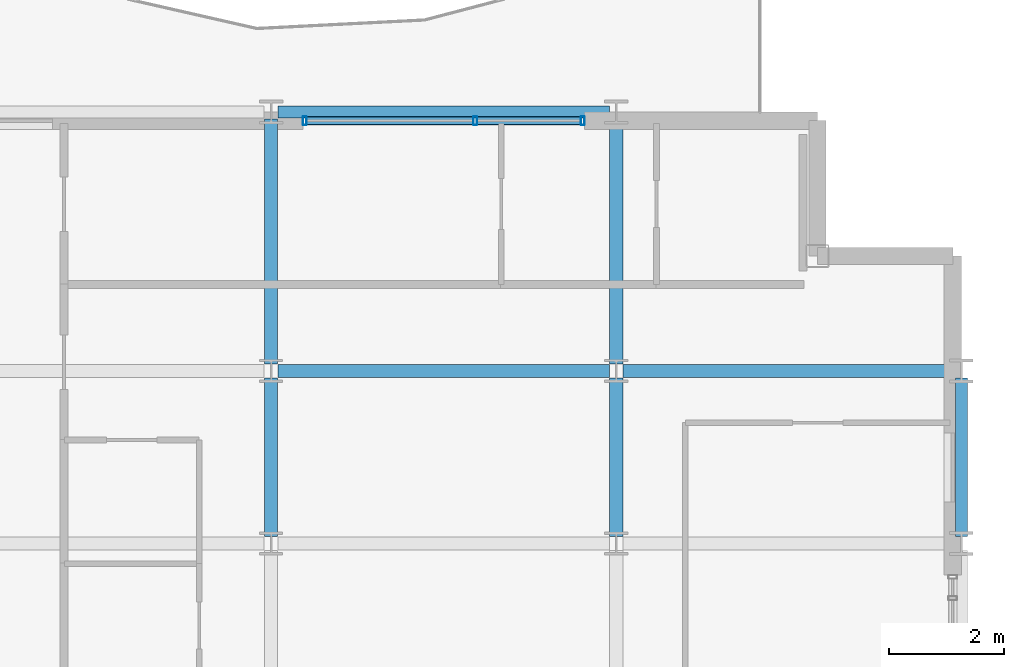
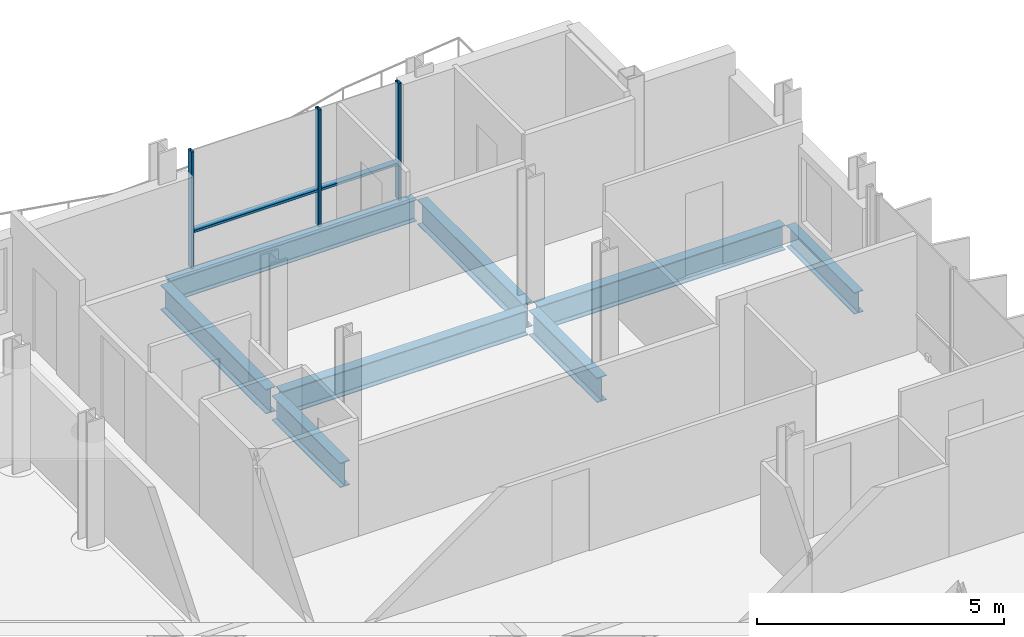
# One storey, part 22 of 40: 8 beams, 5 members, 1 element without a shape of its own.
"""IFC4 building model written with IfcOpenShell, lengths in metres."""

from ifc_helpers import new_model, si_unit, direction, frame, origin, origin_2d, place, context, subcontext, project, spatial, hollow_rectangle, i_section, extrude, material, layer, layer_set, material_profile, profile_set, type_object, element, aggregate, save


model = new_model("IFC4")

# Units and contexts
model_context = context("Model", 3, precision=1e-05, world=origin(), true_north=direction((0.0, 1.0)))
body_context = subcontext(model_context, "Body", "Model", "MODEL_VIEW")
ifc_project = project(units=[si_unit("LENGTHUNIT", "METRE"), si_unit("AREAUNIT", "SQUARE_METRE"), si_unit("VOLUMEUNIT", "CUBIC_METRE"), si_unit("PLANEANGLEUNIT", "RADIAN"), si_unit("MASSUNIT", "GRAM", prefix="KILO")], contexts=[model_context])

# Site, building, storey
site_placement = place(None, origin())
site = spatial("IfcSite", under=ifc_project, at=site_placement, CompositionType="ELEMENT")
building_placement = place(site_placement, origin())
building = spatial("IfcBuilding", under=site, at=building_placement, Name="Brevholm Reach", CompositionType="ELEMENT")
storey_placement = place(building_placement, frame((0.0, 0.0, 148.0)))
storey = spatial("IfcBuildingStorey", under=building, at=storey_placement, Name="L44", CompositionType="ELEMENT", Elevation=148.0)

# Beams
ifc_material_1 = material(Name="Structural Steel S355J2", Category="steel")
ifc_material_profile_1 = material_profile(ifc_material_1, i_section(OverallWidth=0.209228515625, OverallDepth=0.533203125, WebThickness=0.010009765625, FlangeThickness=0.015625, FilletRadius=0.0126953125, at=origin_2d()), Name="UKB 533x210x92")
ifc_profile_set_1 = profile_set([ifc_material_profile_1], Name="Structural Steel S355J2")
beam_type_1 = type_object("IfcBeamType", Name="BM-SP533", PredefinedType="SPANDREL", material=ifc_profile_set_1)
beam_1_placement = place(storey_placement, frame((48.1201171875, 31.0, -0.486572265625), z_axis=(1.0, 0.0, 0.0), x_axis=(0.0, 1.0, 0.0)))
element("IfcBeam", 1, at=beam_1_placement, inside=storey, type_object=beam_type_1, Name="L44 SP-02 Framing Beam", PredefinedType="SPANDREL", context=body_context, shape_type="SweptSolid", body=[
    extrude(i_section(OverallWidth=0.209228515625, OverallDepth=0.533203125, WebThickness=0.010009765625, FlangeThickness=0.015625, FilletRadius=0.0126953125, at=origin_2d()), origin(), (0.0, 0.0, 1.0), 5.759765625),
])
beam_2_placement = place(storey_placement, frame((60.0, 23.6201171875, -0.486572265625), z_axis=(0.0, 1.0, 0.0), x_axis=(-1.0, 0.0, 0.0)))
element("IfcBeam", 2, at=beam_2_placement, inside=storey, type_object=beam_type_1, Name="L44 SP-02 Framing Beam", PredefinedType="SPANDREL", context=body_context, shape_type="SweptSolid", body=[
    extrude(i_section(OverallWidth=0.209228515625, OverallDepth=0.533203125, WebThickness=0.010009765625, FlangeThickness=0.015625, FilletRadius=0.0126953125, at=origin_2d()), origin(), (0.0, 0.0, 1.0), 2.759765625),
])
ifc_material_2 = material(Name="Structural Steel S355J2", Category="steel")
ifc_material_profile_2 = material_profile(ifc_material_2, i_section(OverallWidth=0.22900390625, OverallDepth=0.6123046875, WebThickness=0.011962890625, FlangeThickness=0.01953125, FilletRadius=0.0126953125, at=origin_2d()), Name="UKB 610x229x125")
ifc_profile_set_2 = profile_set([ifc_material_profile_2], Name="Structural Steel S355J2")
beam_type_2 = type_object("IfcBeamType", Name="BM-SP610", PredefinedType="SPANDREL", material=ifc_profile_set_2)
for number, where, z_axis, x_axis, name in (
    (3, (48.1201171875, 26.5, -0.526123046875), (1.0, 0.0, 0.0), (0.0, 1.0, 0.0), "L44 SP-01 Framing Beam"),
    (4, (54.1201171875, 26.5, -0.526123046875), (1.0, 0.0, 0.0), (0.0, 1.0, 0.0), "L44 SP-01 Framing Beam"),
):
    element("IfcBeam", number, at=place(storey_placement, frame(where, z_axis=z_axis, x_axis=x_axis)), inside=storey, type_object=beam_type_2, Name=name, PredefinedType="SPANDREL", context=body_context, shape_type="SweptSolid", body=[
        extrude(i_section(OverallWidth=0.22900390625, OverallDepth=0.6123046875, WebThickness=0.011962890625, FlangeThickness=0.01953125, FilletRadius=0.0126953125, at=origin_2d()), origin(), (0.0, 0.0, 1.0), 5.759765625),
    ])
beam_3_placement = place(storey_placement, frame((48.0, 23.6201171875, -0.526123046875), z_axis=(0.0, 1.0, 0.0), x_axis=(-1.0, 0.0, 0.0)))
element("IfcBeam", 5, at=beam_3_placement, inside=storey, type_object=beam_type_2, Name="L44 SP-01 Framing Beam", PredefinedType="SPANDREL", context=body_context, shape_type="SweptSolid", body=[
    extrude(i_section(OverallWidth=0.22900390625, OverallDepth=0.6123046875, WebThickness=0.011962890625, FlangeThickness=0.01953125, FilletRadius=0.0126953125, at=origin_2d()), origin(), (0.0, 0.0, 1.0), 2.759765625),
])
beam_4_placement = place(storey_placement, frame((48.0, 26.6201171875, -0.526123046875), z_axis=(0.0, 1.0, 0.0), x_axis=(-1.0, 0.0, 0.0)))
element("IfcBeam", 6, at=beam_4_placement, inside=storey, type_object=beam_type_2, Name="L44 SP-01 Framing Beam", PredefinedType="SPANDREL", context=body_context, shape_type="SweptSolid", body=[
    extrude(i_section(OverallWidth=0.22900390625, OverallDepth=0.6123046875, WebThickness=0.011962890625, FlangeThickness=0.01953125, FilletRadius=0.0126953125, at=origin_2d()), origin(), (0.0, 0.0, 1.0), 4.259765625),
])
beam_5_placement = place(storey_placement, frame((54.0, 23.6201171875, -0.526123046875), z_axis=(0.0, 1.0, 0.0), x_axis=(-1.0, 0.0, 0.0)))
element("IfcBeam", 7, at=beam_5_placement, inside=storey, type_object=beam_type_2, Name="L44 SP-01 Framing Beam", PredefinedType="SPANDREL", context=body_context, shape_type="SweptSolid", body=[
    extrude(i_section(OverallWidth=0.22900390625, OverallDepth=0.6123046875, WebThickness=0.011962890625, FlangeThickness=0.01953125, FilletRadius=0.0126953125, at=origin_2d()), origin(), (0.0, 0.0, 1.0), 2.759765625),
])
beam_6_placement = place(storey_placement, frame((54.0, 26.6201171875, -0.526123046875), z_axis=(0.0, 1.0, 0.0), x_axis=(-1.0, 0.0, 0.0)))
element("IfcBeam", 8, at=beam_6_placement, inside=storey, type_object=beam_type_2, Name="L44 SP-01 Framing Beam", PredefinedType="SPANDREL", context=body_context, shape_type="SweptSolid", body=[
    extrude(i_section(OverallWidth=0.22900390625, OverallDepth=0.6123046875, WebThickness=0.011962890625, FlangeThickness=0.01953125, FilletRadius=0.0126953125, at=origin_2d()), origin(), (0.0, 0.0, 1.0), 4.259765625),
])

# Curtain wall, members
ifc_material_3 = material(Name="Dark Anodised Aluminium 6063-T6 and Solar-Control Glass", Category="aluminium")
ifc_layer = layer(ifc_material_3, 0.14990234375)
ifc_layer_set = layer_set([ifc_layer], Name="Dark Anodised Aluminium 6063-T6 and Solar-Control Glass")
curtain_wall_type = type_object("IfcCurtainWallType", Name="CW-01", PredefinedType="NOTDEFINED", material=ifc_layer_set)
curtain_wall_placement = place(storey_placement, origin())
curtain_wall = element("IfcCurtainWall", 9, at=curtain_wall_placement, inside=storey, type_object=curtain_wall_type, Name="L44 Curtain Wall CW-01", PredefinedType="NOTDEFINED")
ifc_material_4 = material(Name="Dark Anodised Aluminium 6063-T6", Category="aluminium")
ifc_material_profile_3 = material_profile(ifc_material_4, hollow_rectangle(XDim=0.06494140625, YDim=0.14990234375, WallThickness=0.0048828125, InnerFilletRadius=0.0048828125, OuterFilletRadius=0.010009765625, at=origin_2d()), Name="RHS 150x65x5")
ifc_profile_set_3 = profile_set([ifc_material_profile_3], Name="Dark Anodised Aluminium 6063-T6")
member_type_1 = type_object("IfcMemberType", Name="CWM-150", PredefinedType="MULLION", material=ifc_profile_set_3)
member_1_placement = place(storey_placement, frame((48.58251953125, 30.85009765625, 0.0), z_axis=(0.0, 0.0, 1.0), x_axis=(1.0, 0.0, 0.0)))
member_1 = element("IfcMember", 10, at=member_1_placement, type_object=member_type_1, Name="CM-150 Mullion 1", PredefinedType="MULLION", context=body_context, shape_type="SweptSolid", body=[
    extrude(hollow_rectangle(XDim=0.06494140625, YDim=0.14990234375, WallThickness=0.0048828125, InnerFilletRadius=0.0048828125, OuterFilletRadius=0.010009765625, at=origin_2d()), origin(), (0.0, 0.0, 1.0), 2.8798828125),
])
member_2_placement = place(storey_placement, frame((51.550048828125, 30.85009765625, 0.0), z_axis=(0.0, 0.0, 1.0), x_axis=(1.0, 0.0, 0.0)))
member_2 = element("IfcMember", 11, at=member_2_placement, type_object=member_type_1, Name="CM-150 Mullion 2", PredefinedType="MULLION", context=body_context, shape_type="SweptSolid", body=[
    extrude(hollow_rectangle(XDim=0.06494140625, YDim=0.14990234375, WallThickness=0.0048828125, InnerFilletRadius=0.0048828125, OuterFilletRadius=0.010009765625, at=origin_2d()), origin(), (0.0, 0.0, 1.0), 2.8798828125),
])
member_3_placement = place(storey_placement, frame((53.41748046875, 30.85009765625, 0.0), z_axis=(0.0, 0.0, 1.0), x_axis=(1.0, 0.0, 0.0)))
member_3 = element("IfcMember", 12, at=member_3_placement, type_object=member_type_1, Name="CM-150 Mullion 3", PredefinedType="MULLION", context=body_context, shape_type="SweptSolid", body=[
    extrude(hollow_rectangle(XDim=0.06494140625, YDim=0.14990234375, WallThickness=0.0048828125, InnerFilletRadius=0.0048828125, OuterFilletRadius=0.010009765625, at=origin_2d()), origin(), (0.0, 0.0, 1.0), 2.8798828125),
])
ifc_material_5 = material(Name="Dark Anodised Aluminium 6063-T6", Category="aluminium")
ifc_material_profile_4 = material_profile(ifc_material_5, hollow_rectangle(XDim=0.06494140625, YDim=0.14990234375, WallThickness=0.0048828125, InnerFilletRadius=0.0048828125, OuterFilletRadius=0.010009765625, at=origin_2d()), Name="RHS 150x65x5")
ifc_profile_set_4 = profile_set([ifc_material_profile_4], Name="Dark Anodised Aluminium 6063-T6")
member_type_2 = type_object("IfcMemberType", Name="CWT-150", PredefinedType="NOTDEFINED", material=ifc_profile_set_4)
member_4_placement = place(storey_placement, frame((48.614990234375, 30.85009765625, 0.89990234375), z_axis=(1.0, 0.0, 0.0), x_axis=(0.0, 0.0, 1.0)))
member_4 = element("IfcMember", 13, at=member_4_placement, type_object=member_type_2, Name="CT-150 Transom 1.1", ObjectType="TRANSOM", PredefinedType="USERDEFINED", context=body_context, shape_type="SweptSolid", body=[
    extrude(hollow_rectangle(XDim=0.06494140625, YDim=0.14990234375, WallThickness=0.0048828125, InnerFilletRadius=0.0048828125, OuterFilletRadius=0.010009765625, at=origin_2d()), origin(), (0.0, 0.0, 1.0), 2.902587890625),
])
member_5_placement = place(storey_placement, frame((51.58251953125, 30.85009765625, 0.89990234375), z_axis=(1.0, 0.0, 0.0), x_axis=(0.0, 0.0, 1.0)))
member_5 = element("IfcMember", 14, at=member_5_placement, type_object=member_type_2, Name="CT-150 Transom 2.1", ObjectType="TRANSOM", PredefinedType="USERDEFINED", context=body_context, shape_type="SweptSolid", body=[
    extrude(hollow_rectangle(XDim=0.06494140625, YDim=0.14990234375, WallThickness=0.0048828125, InnerFilletRadius=0.0048828125, OuterFilletRadius=0.010009765625, at=origin_2d()), origin(), (0.0, 0.0, 1.0), 1.802490234375),
])
aggregate(curtain_wall, [member_1, member_2, member_3, member_4, member_5])

save(model, "model.ifc")
